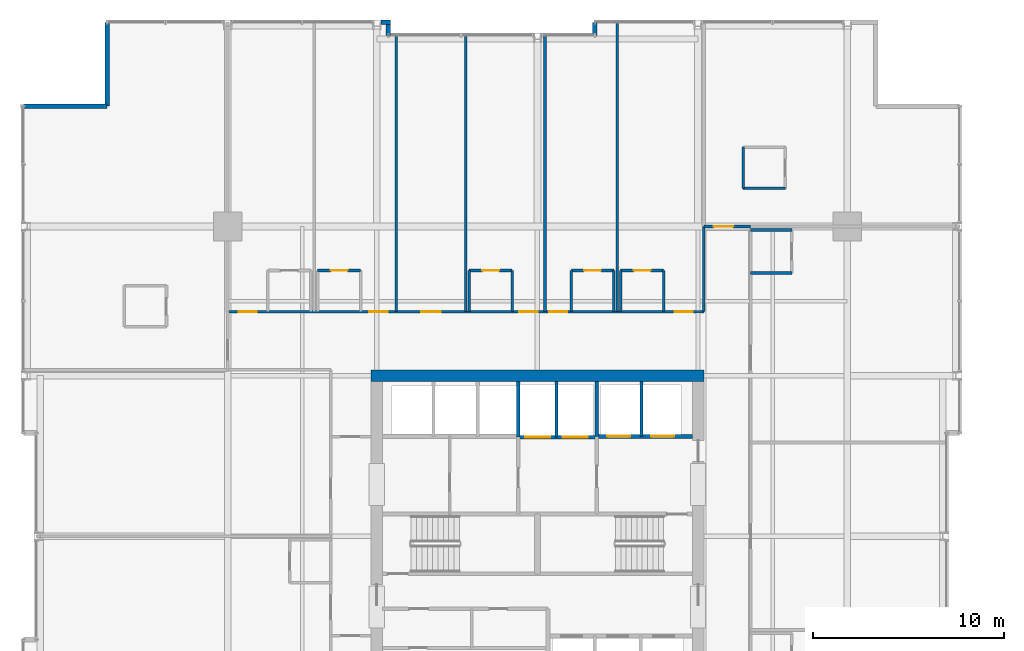
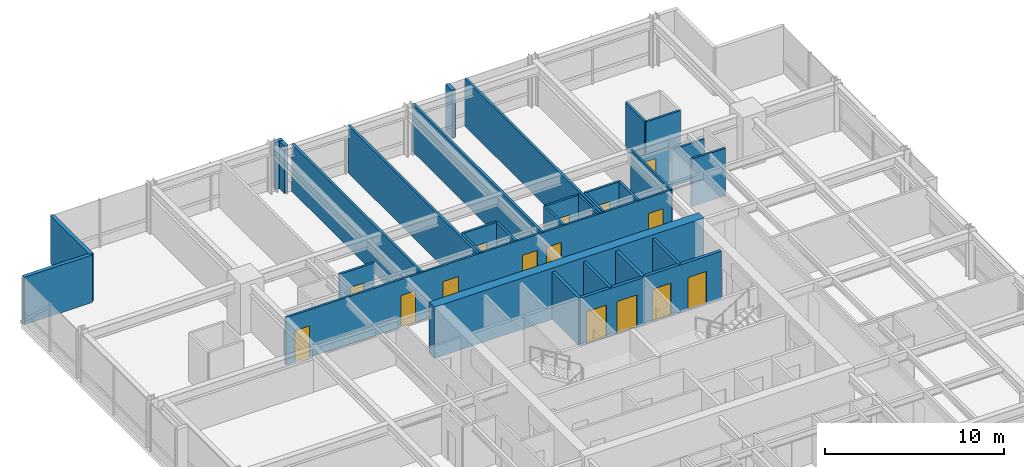
# One storey, part 31 of 34: 33 walls, 15 doors, 15 openings.
"""IFC4 building model written with IfcOpenShell, lengths in metres."""

from ifc_helpers import new_model, si_unit, direction, frame, frame_2d, origin, place, context, subcontext, project, spatial, rectangle, extrude, material, layer, layer_set, type_object, element, fill, save


model = new_model("IFC4")

# Units and contexts
model_context = context("Model", 3, precision=1e-05, world=origin(), true_north=direction((0.0, 1.0)))
body_context = subcontext(model_context, "Body", "Model", "MODEL_VIEW")
ifc_project = project(units=[si_unit("LENGTHUNIT", "METRE"), si_unit("AREAUNIT", "SQUARE_METRE"), si_unit("VOLUMEUNIT", "CUBIC_METRE"), si_unit("PLANEANGLEUNIT", "RADIAN"), si_unit("MASSUNIT", "GRAM", prefix="KILO")], contexts=[model_context])

# Site, building, storey
site_placement = place(None, origin())
site = spatial("IfcSite", under=ifc_project, at=site_placement, CompositionType="ELEMENT")
building_placement = place(site_placement, origin())
building = spatial("IfcBuilding", under=site, at=building_placement, Name="Drelvath Grand Hotel", CompositionType="ELEMENT")
storey_placement = place(building_placement, frame((0.0, 0.0, 133.800048828125)))
storey = spatial("IfcBuildingStorey", under=building, at=storey_placement, Name="L34", CompositionType="ELEMENT", Elevation=133.800048828125)

# Wall, openings, doors
ifc_material_1 = material(Name="Concrete C40/50", Category="concrete")
ifc_layer_1 = layer(ifc_material_1, 0.199951171875)
ifc_layer_set_1 = layer_set([ifc_layer_1], Name="Concrete C40/50")
wall_type_1 = type_object("IfcWallType", Name="Core Hoistway Fire Wall 200", PredefinedType="SOLIDWALL", material=ifc_layer_set_1)
wall_1_placement = place(storey_placement, frame((3.10009765625, 32.219970703125, 0.0), z_axis=(0.0, 0.0, 1.0), x_axis=(1.0, 0.0, 0.0)))
wall_1 = element("IfcWall", 1, at=wall_1_placement, inside=storey, type_object=wall_type_1, Name="L34 FSAE Hoistway Front Wall", PredefinedType="SOLIDWALL", context=body_context, shape_type="SweptSolid", body=[
    extrude(rectangle(XDim=5.0, YDim=0.199951171875, at=frame_2d((2.5, 0.0))), origin(), (0.0, 0.0, 1.0), 3.239990234375),
])
opening_1_placement = place(wall_1_placement, frame((0.550048828125, 0.0, 0.0)))
opening_1 = element("IfcOpeningElement", 2, at=opening_1_placement, cuts=wall_1, Name="Opening LD-FSAE-1", PredefinedType="OPENING", context=body_context, shape_type="SweptSolid", body=[
    extrude(rectangle(XDim=1.199951171875, YDim=2.199951171875, at=frame_2d((0.60009765625, 1.10009765625))), frame((0.0, 0.10986328125, 0.0), z_axis=(0.0, -1.0, 0.0), x_axis=(1.0, 0.0, 0.0)), (0.0, 0.0, 1.0), 0.219970703125),
])
opening_2_placement = place(wall_1_placement, frame((2.85009765625, 0.0, 0.0)))
opening_2 = element("IfcOpeningElement", 3, at=opening_2_placement, cuts=wall_1, Name="Opening LD-FSAE-2", PredefinedType="OPENING", context=body_context, shape_type="SweptSolid", body=[
    extrude(rectangle(XDim=1.199951171875, YDim=2.199951171875, at=frame_2d((0.60009765625, 1.10009765625))), frame((0.0, 0.10986328125, 0.0), z_axis=(0.0, -1.0, 0.0), x_axis=(1.0, 0.0, 0.0)), (0.0, 0.0, 1.0), 0.219970703125),
])
ifc_material_2 = material(Name="Stainless Steel S355", Category="steel")
door_type_1 = type_object("IfcDoorType", Name="FSAE Lift Sliding Landing Door 1200x2200", OperationType="NOTDEFINED", PredefinedType="DOOR", material=ifc_material_2)
door_1_placement = place(opening_1_placement, origin())
door_1 = element("IfcDoor", 4, at=door_1_placement, inside=storey, type_object=door_type_1, Name="L34 Lift FSAE-1 Landing Door", OperationType="SLIDING_TO_LEFT", OverallHeight=2.199951171875, OverallWidth=1.199951171875, PredefinedType="DOOR", context=body_context, shape_type="SweptSolid", body=[
    extrude(rectangle(XDim=1.199951171875, YDim=2.199951171875, at=frame_2d((0.60009765625, 1.10009765625))), frame((0.0, 0.02490234375, 0.0), z_axis=(0.0, -1.0, 0.0), x_axis=(1.0, 0.0, 0.0)), (0.0, 0.0, 1.0), 0.050048828125),
])
fill(opening_1, door_1)
door_2_placement = place(opening_2_placement, origin())
door_2 = element("IfcDoor", 5, at=door_2_placement, inside=storey, type_object=door_type_1, Name="L34 Lift FSAE-2 Landing Door", OperationType="SLIDING_TO_LEFT", OverallHeight=2.199951171875, OverallWidth=1.199951171875, PredefinedType="DOOR", context=body_context, shape_type="SweptSolid", body=[
    extrude(rectangle(XDim=1.199951171875, YDim=2.199951171875, at=frame_2d((0.60009765625, 1.10009765625))), frame((0.0, 0.02490234375, 0.0), z_axis=(0.0, -1.0, 0.0), x_axis=(1.0, 0.0, 0.0)), (0.0, 0.0, 1.0), 0.050048828125),
])
fill(opening_2, door_2)

# Wall
wall_2_placement = place(storey_placement, frame((3.10009765625, 32.219970703125, 0.0), z_axis=(0.0, 0.0, 1.0), x_axis=(0.0, 1.0, 0.0)))
element("IfcWall", 6, at=wall_2_placement, inside=storey, type_object=wall_type_1, Name="L34 FSAE Hoistway West Wall", PredefinedType="SOLIDWALL", context=body_context, shape_type="SweptSolid", body=[
    extrude(rectangle(XDim=2.880126953125, YDim=0.199951171875, at=frame_2d((1.43994140625, 0.0))), origin(), (0.0, 0.0, 1.0), 3.239990234375),
])

# Wall, openings, doors
wall_3_placement = place(storey_placement, frame((-1.0, 32.179931640625, 0.0), z_axis=(0.0, 0.0, 1.0), x_axis=(1.0, 0.0, 0.0)))
wall_3 = element("IfcWall", 7, at=wall_3_placement, inside=storey, type_object=wall_type_1, Name="L34 Service Lift Hoistway Wall", PredefinedType="SOLIDWALL", context=body_context, shape_type="SweptSolid", body=[
    extrude(rectangle(XDim=4.10009765625, YDim=0.199951171875, at=frame_2d((2.050048828125, 0.0))), origin(), (0.0, 0.0, 1.0), 3.239990234375),
])
opening_3_placement = place(wall_3_placement, frame((0.3701171875, 0.0, 0.0)))
opening_3 = element("IfcOpeningElement", 8, at=opening_3_placement, cuts=wall_3, Name="Opening LD-SV-2", PredefinedType="OPENING", context=body_context, shape_type="SweptSolid", body=[
    extrude(rectangle(XDim=1.300048828125, YDim=2.199951171875, at=frame_2d((0.64990234375, 1.10009765625))), frame((0.0, 0.10986328125, 0.0), z_axis=(0.0, -1.0, 0.0), x_axis=(1.0, 0.0, 0.0)), (0.0, 0.0, 1.0), 0.219970703125),
])
opening_4_placement = place(wall_3_placement, frame((2.330078125, 0.0, 0.0)))
opening_4 = element("IfcOpeningElement", 9, at=opening_4_placement, cuts=wall_3, Name="Opening LD-SV-1", PredefinedType="OPENING", context=body_context, shape_type="SweptSolid", body=[
    extrude(rectangle(XDim=1.300048828125, YDim=2.199951171875, at=frame_2d((0.64990234375, 1.10009765625))), frame((0.0, 0.10986328125, 0.0), z_axis=(0.0, -1.0, 0.0), x_axis=(1.0, 0.0, 0.0)), (0.0, 0.0, 1.0), 0.219970703125),
])
door_type_2 = type_object("IfcDoorType", Name="Service Lift Sliding Landing Door 1300x2200", OperationType="NOTDEFINED", PredefinedType="DOOR", material=ifc_material_2)
door_3_placement = place(opening_3_placement, origin())
door_3 = element("IfcDoor", 10, at=door_3_placement, inside=storey, type_object=door_type_2, Name="L34 Lift SV-2 Landing Door", OperationType="SLIDING_TO_LEFT", OverallHeight=2.199951171875, OverallWidth=1.300048828125, PredefinedType="DOOR", context=body_context, shape_type="SweptSolid", body=[
    extrude(rectangle(XDim=1.300048828125, YDim=2.199951171875, at=frame_2d((0.64990234375, 1.10009765625))), frame((0.0, 0.02490234375, 0.0), z_axis=(0.0, -1.0, 0.0), x_axis=(1.0, 0.0, 0.0)), (0.0, 0.0, 1.0), 0.050048828125),
])
fill(opening_3, door_3)
door_4_placement = place(opening_4_placement, origin())
door_4 = element("IfcDoor", 11, at=door_4_placement, inside=storey, type_object=door_type_2, Name="L34 Lift SV-1 Landing Door", OperationType="SLIDING_TO_LEFT", OverallHeight=2.199951171875, OverallWidth=1.300048828125, PredefinedType="DOOR", context=body_context, shape_type="SweptSolid", body=[
    extrude(rectangle(XDim=1.300048828125, YDim=2.199951171875, at=frame_2d((0.64990234375, 1.10009765625))), frame((0.0, 0.02490234375, 0.0), z_axis=(0.0, -1.0, 0.0), x_axis=(1.0, 0.0, 0.0)), (0.0, 0.0, 1.0), 0.050048828125),
])
fill(opening_4, door_4)

# Walls
wall_4_placement = place(storey_placement, frame((-1.0, 32.179931640625, 0.0), z_axis=(0.0, 0.0, 1.0), x_axis=(0.0, 1.0, 0.0)))
element("IfcWall", 12, at=wall_4_placement, inside=storey, type_object=wall_type_1, Name="L34 Service Lift West Wall", PredefinedType="SOLIDWALL", context=body_context, shape_type="SweptSolid", body=[
    extrude(rectangle(XDim=2.920166015625, YDim=0.199951171875, at=frame_2d((1.4599609375, 0.0))), origin(), (0.0, 0.0, 1.0), 3.239990234375),
])
ifc_material_3 = material(Name="Gypsum Fireboard Partition")
ifc_layer_2 = layer(ifc_material_3, 0.1650390625)
ifc_layer_set_2 = layer_set([ifc_layer_2], Name="Gypsum Fireboard Partition")
wall_type_2 = type_object("IfcWallType", Name="Core Shaft Partition 165", PredefinedType="PARTITIONING", material=ifc_layer_set_2)
wall_5_placement = place(storey_placement, frame((5.449951171875, 32.219970703125, 0.0), z_axis=(0.0, 0.0, 1.0), x_axis=(0.0, 1.0, 0.0)))
element("IfcWall", 13, at=wall_5_placement, inside=storey, type_object=wall_type_2, Name="L34 FSAE Hoistway Divider", PredefinedType="PARTITIONING", context=body_context, shape_type="SweptSolid", body=[
    extrude(rectangle(XDim=2.880126953125, YDim=0.1650390625, at=frame_2d((1.43994140625, 0.0))), origin(), (0.0, 0.0, 1.0), 3.239990234375),
])
wall_6_placement = place(storey_placement, frame((1.0, 32.179931640625, 0.0), z_axis=(0.0, 0.0, 1.0), x_axis=(0.0, 1.0, 0.0)))
element("IfcWall", 14, at=wall_6_placement, inside=storey, type_object=wall_type_2, Name="L34 Service Lift Divider", PredefinedType="PARTITIONING", context=body_context, shape_type="SweptSolid", body=[
    extrude(rectangle(XDim=2.920166015625, YDim=0.1650390625, at=frame_2d((1.4599609375, 0.0))), origin(), (0.0, 0.0, 1.0), 3.239990234375),
])
ifc_layer_3 = layer(ifc_material_3, 0.135009765625)
ifc_layer_set_3 = layer_set([ifc_layer_3], Name="Gypsum Fireboard Partition")
wall_type_3 = type_object("IfcWallType", Name="Corridor Fire Barrier Wall 135", PredefinedType="PARTITIONING", material=ifc_layer_set_3)
wall_7_placement = place(storey_placement, frame((8.699951171875, 38.75, 0.0), z_axis=(0.0, 0.0, 1.0), x_axis=(0.0, 1.0, 0.0)))
element("IfcWall", 15, at=wall_7_placement, inside=storey, type_object=wall_type_3, Name="L34 East Spine North Inner Wall", PredefinedType="PARTITIONING", context=body_context, shape_type="SweptSolid", body=[
    extrude(rectangle(XDim=4.449951171875, YDim=0.135009765625, at=frame_2d((2.22509765625, 0.0))), origin(), (0.0, 0.0, 1.0), 3.239990234375),
])

# Wall, openings, doors
wall_8_placement = place(storey_placement, frame((-16.199951171875, 38.75, 0.0), z_axis=(0.0, 0.0, 1.0), x_axis=(1.0, 0.0, 0.0)))
wall_8 = element("IfcWall", 16, at=wall_8_placement, inside=storey, type_object=wall_type_3, Name="L34 North Stub Corridor Wall", PredefinedType="PARTITIONING", context=body_context, shape_type="SweptSolid", body=[
    extrude(rectangle(XDim=24.89990234375, YDim=0.135009765625, at=frame_2d((12.449951171875, 0.0))), origin(), (0.0, 0.0, 1.0), 3.239990234375),
])
opening_5_placement = place(wall_8_placement, frame((0.568603515625, 0.0, 0.0)))
opening_5 = element("IfcOpeningElement", 17, at=opening_5_placement, cuts=wall_8, Name="Opening D-T2G5-040", PredefinedType="OPENING", context=body_context, shape_type="SweptSolid", body=[
    extrude(rectangle(XDim=0.9599609375, YDim=2.14990234375, at=frame_2d((0.47998046875, 1.074951171875))), frame((0.0, 0.077392578125, 0.0), z_axis=(0.0, -1.0, 0.0), x_axis=(1.0, 0.0, 0.0)), (0.0, 0.0, 1.0), 0.155029296875),
])
opening_6_placement = place(wall_8_placement, frame((7.40869140625, 0.0, 0.0)))
opening_6 = element("IfcOpeningElement", 18, at=opening_6_placement, cuts=wall_8, Name="Opening D-T2G5-042", PredefinedType="OPENING", context=body_context, shape_type="SweptSolid", body=[
    extrude(rectangle(XDim=0.9599609375, YDim=2.14990234375, at=frame_2d((0.47998046875, 1.074951171875))), frame((0.0, 0.077392578125, 0.0), z_axis=(0.0, -1.0, 0.0), x_axis=(1.0, 0.0, 0.0)), (0.0, 0.0, 1.0), 0.155029296875),
])
opening_7_placement = place(wall_8_placement, frame((10.125, 0.0, 0.0)))
opening_7 = element("IfcOpeningElement", 19, at=opening_7_placement, cuts=wall_8, Name="Opening D-T2G5-043", PredefinedType="OPENING", context=body_context, shape_type="SweptSolid", body=[
    extrude(rectangle(XDim=1.02001953125, YDim=2.14990234375, at=frame_2d((0.510009765625, 1.074951171875))), frame((0.0, 0.077392578125, 0.0), z_axis=(0.0, -1.0, 0.0), x_axis=(1.0, 0.0, 0.0)), (0.0, 0.0, 1.0), 0.155029296875),
])
opening_8_placement = place(wall_8_placement, frame((15.260009765625, 0.0, 0.0)))
opening_8 = element("IfcOpeningElement", 20, at=opening_8_placement, cuts=wall_8, Name="Opening D-T2G5-045", PredefinedType="OPENING", context=body_context, shape_type="SweptSolid", body=[
    extrude(rectangle(XDim=0.9599609375, YDim=2.14990234375, at=frame_2d((0.47998046875, 1.074951171875))), frame((0.0, 0.077392578125, 0.0), z_axis=(0.0, -1.0, 0.0), x_axis=(1.0, 0.0, 0.0)), (0.0, 0.0, 1.0), 0.155029296875),
])
opening_9_placement = place(wall_8_placement, frame((16.804931640625, 0.0, 0.0)))
opening_9 = element("IfcOpeningElement", 21, at=opening_9_placement, cuts=wall_8, Name="Opening D-T2G5-047", PredefinedType="OPENING", context=body_context, shape_type="SweptSolid", body=[
    extrude(rectangle(XDim=0.9599609375, YDim=2.14990234375, at=frame_2d((0.47998046875, 1.074951171875))), frame((0.0, 0.077392578125, 0.0), z_axis=(0.0, -1.0, 0.0), x_axis=(1.0, 0.0, 0.0)), (0.0, 0.0, 1.0), 0.155029296875),
])
opening_10_placement = place(wall_8_placement, frame((23.371337890625, 0.0, 0.0)))
opening_10 = element("IfcOpeningElement", 22, at=opening_10_placement, cuts=wall_8, Name="Opening D-T2G5-049", PredefinedType="OPENING", context=body_context, shape_type="SweptSolid", body=[
    extrude(rectangle(XDim=0.9599609375, YDim=2.14990234375, at=frame_2d((0.47998046875, 1.074951171875))), frame((0.0, 0.077392578125, 0.0), z_axis=(0.0, -1.0, 0.0), x_axis=(1.0, 0.0, 0.0)), (0.0, 0.0, 1.0), 0.155029296875),
])
ifc_material_4 = material(Name="Hardwood Walnut Timber", Category="wood")
door_type_3 = type_object("IfcDoorType", Name="Amenity Meeting Fire Door 1020x2150", OperationType="NOTDEFINED", PredefinedType="DOOR", material=ifc_material_4)
door_5_placement = place(opening_7_placement, origin())
door_5 = element("IfcDoor", 23, at=door_5_placement, inside=storey, type_object=door_type_3, Name="L34 Horizon Briefing Room Entry Door", OperationType="SINGLE_SWING_RIGHT", OverallHeight=2.14990234375, OverallWidth=1.02001953125, PredefinedType="DOOR", context=body_context, shape_type="SweptSolid", body=[
    extrude(rectangle(XDim=1.02001953125, YDim=2.14990234375, at=frame_2d((0.510009765625, 1.074951171875))), frame((0.0, 0.02490234375, 0.0), z_axis=(0.0, -1.0, 0.0), x_axis=(1.0, 0.0, 0.0)), (0.0, 0.0, 1.0), 0.050048828125),
])
fill(opening_7, door_5)
door_type_4 = type_object("IfcDoorType", Name="Guestroom Entrance Fire Door 960x2150", OperationType="NOTDEFINED", PredefinedType="DOOR", material=ifc_material_4)
door_6_placement = place(opening_5_placement, origin())
door_6 = element("IfcDoor", 24, at=door_6_placement, inside=storey, type_object=door_type_4, Name="L34 Deluxe Guest Room Entry Door", OperationType="SINGLE_SWING_LEFT", OverallHeight=2.14990234375, OverallWidth=0.9599609375, PredefinedType="DOOR", context=body_context, shape_type="SweptSolid", body=[
    extrude(rectangle(XDim=0.9599609375, YDim=2.14990234375, at=frame_2d((0.47998046875, 1.074951171875))), frame((0.0, 0.02490234375, 0.0), z_axis=(0.0, -1.0, 0.0), x_axis=(1.0, 0.0, 0.0)), (0.0, 0.0, 1.0), 0.050048828125),
])
fill(opening_5, door_6)
door_7_placement = place(opening_6_placement, origin())
door_7 = element("IfcDoor", 25, at=door_7_placement, inside=storey, type_object=door_type_4, Name="L34 Deluxe Guest Room Entry Door", OperationType="SINGLE_SWING_LEFT", OverallHeight=2.14990234375, OverallWidth=0.9599609375, PredefinedType="DOOR", context=body_context, shape_type="SweptSolid", body=[
    extrude(rectangle(XDim=0.9599609375, YDim=2.14990234375, at=frame_2d((0.47998046875, 1.074951171875))), frame((0.0, 0.02490234375, 0.0), z_axis=(0.0, -1.0, 0.0), x_axis=(1.0, 0.0, 0.0)), (0.0, 0.0, 1.0), 0.050048828125),
])
fill(opening_6, door_7)
door_8_placement = place(opening_8_placement, origin())
door_8 = element("IfcDoor", 26, at=door_8_placement, inside=storey, type_object=door_type_4, Name="L34 Deluxe Guest Room Entry Door", OperationType="SINGLE_SWING_RIGHT", OverallHeight=2.14990234375, OverallWidth=0.9599609375, PredefinedType="DOOR", context=body_context, shape_type="SweptSolid", body=[
    extrude(rectangle(XDim=0.9599609375, YDim=2.14990234375, at=frame_2d((0.47998046875, 1.074951171875))), frame((0.0, 0.02490234375, 0.0), z_axis=(0.0, -1.0, 0.0), x_axis=(1.0, 0.0, 0.0)), (0.0, 0.0, 1.0), 0.050048828125),
])
fill(opening_8, door_8)
door_9_placement = place(opening_9_placement, origin())
door_9 = element("IfcDoor", 27, at=door_9_placement, inside=storey, type_object=door_type_4, Name="L34 Deluxe Guest Room Entry Door", OperationType="SINGLE_SWING_RIGHT", OverallHeight=2.14990234375, OverallWidth=0.9599609375, PredefinedType="DOOR", context=body_context, shape_type="SweptSolid", body=[
    extrude(rectangle(XDim=0.9599609375, YDim=2.14990234375, at=frame_2d((0.47998046875, 1.074951171875))), frame((0.0, 0.02490234375, 0.0), z_axis=(0.0, -1.0, 0.0), x_axis=(1.0, 0.0, 0.0)), (0.0, 0.0, 1.0), 0.050048828125),
])
fill(opening_9, door_9)
door_10_placement = place(opening_10_placement, origin())
door_10 = element("IfcDoor", 28, at=door_10_placement, inside=storey, type_object=door_type_4, Name="L34 Deluxe Guest Room Entry Door", OperationType="SINGLE_SWING_RIGHT", OverallHeight=2.14990234375, OverallWidth=0.9599609375, PredefinedType="DOOR", context=body_context, shape_type="SweptSolid", body=[
    extrude(rectangle(XDim=0.9599609375, YDim=2.14990234375, at=frame_2d((0.47998046875, 1.074951171875))), frame((0.0, 0.02490234375, 0.0), z_axis=(0.0, -1.0, 0.0), x_axis=(1.0, 0.0, 0.0)), (0.0, 0.0, 1.0), 0.050048828125),
])
fill(opening_10, door_10)

# Wall, opening, door
wall_9_placement = place(storey_placement, frame((8.699951171875, 43.199951171875, 0.0), z_axis=(0.0, 0.0, 1.0), x_axis=(1.0, 0.0, 0.0)))
wall_9 = element("IfcWall", 29, at=wall_9_placement, inside=storey, type_object=wall_type_3, Name="L34 East Spine North End", PredefinedType="PARTITIONING", context=body_context, shape_type="SweptSolid", body=[
    extrude(rectangle(XDim=2.449951171875, YDim=0.135009765625, at=frame_2d((1.22509765625, 0.0))), origin(), (0.0, 0.0, 1.0), 2.529541015625),
])
opening_11_placement = place(wall_9_placement, frame((0.52001953125, 0.0, 0.0)))
opening_11 = element("IfcOpeningElement", 30, at=opening_11_placement, cuts=wall_9, Name="Opening D-T2G5-028", PredefinedType="OPENING", context=body_context, shape_type="SweptSolid", body=[
    extrude(rectangle(XDim=1.02001953125, YDim=2.14990234375, at=frame_2d((0.510009765625, 1.074951171875))), frame((0.0, 0.077392578125, 0.0), z_axis=(0.0, -1.0, 0.0), x_axis=(1.0, 0.0, 0.0)), (0.0, 0.0, 1.0), 0.155029296875),
])
door_11_placement = place(opening_11_placement, origin())
door_11 = element("IfcDoor", 31, at=door_11_placement, inside=storey, type_object=door_type_3, Name="L34 Corner Suite Entry Door", OperationType="SINGLE_SWING_LEFT", OverallHeight=2.14990234375, OverallWidth=1.02001953125, PredefinedType="DOOR", context=body_context, shape_type="SweptSolid", body=[
    extrude(rectangle(XDim=1.02001953125, YDim=2.14990234375, at=frame_2d((0.510009765625, 1.074951171875))), frame((0.0, 0.02490234375, 0.0), z_axis=(0.0, -1.0, 0.0), x_axis=(1.0, 0.0, 0.0)), (0.0, 0.0, 1.0), 0.050048828125),
])
fill(opening_11, door_11)

# Walls
ifc_material_5 = material(Name="Moisture-Resistant Gypsum Board")
ifc_layer_4 = layer(ifc_material_5, 0.139892578125)
ifc_layer_set_4 = layer_set([ifc_layer_4], Name="Moisture-Resistant Gypsum Board")
wall_type_4 = type_object("IfcWallType", Name="En-Suite Plumbing Wall 140", PredefinedType="PLUMBINGWALL", material=ifc_layer_set_4)
wall_10_placement = place(storey_placement, frame((10.760009765625, 45.199951171875, 0.0), z_axis=(0.0, 0.0, 1.0), x_axis=(1.0, 0.0, 0.0)))
element("IfcWall", 32, at=wall_10_placement, inside=storey, type_object=wall_type_4, Name="L34 Corner En-Suite South", PredefinedType="PLUMBINGWALL", context=body_context, shape_type="SweptSolid", body=[
    extrude(rectangle(XDim=2.199951171875, YDim=0.139892578125, at=frame_2d((1.10009765625, 0.0))), origin(), (0.0, 0.0, 1.0), 3.239990234375),
])
wall_11_placement = place(storey_placement, frame((10.760009765625, 45.199951171875, 0.0), z_axis=(0.0, 0.0, 1.0), x_axis=(0.0, 1.0, 0.0)))
element("IfcWall", 33, at=wall_11_placement, inside=storey, type_object=wall_type_4, Name="L34 Corner En-Suite West", PredefinedType="PLUMBINGWALL", context=body_context, shape_type="SweptSolid", body=[
    extrude(rectangle(XDim=2.150146484375, YDim=0.139892578125, at=frame_2d((1.0751953125, 0.0))), origin(), (0.0, 0.0, 1.0), 3.239990234375),
])

# Wall, opening, door
wall_12_placement = place(storey_placement, frame((-11.49267578125, 40.89990234375, 0.0), z_axis=(0.0, 0.0, 1.0), x_axis=(1.0, 0.0, 0.0)))
wall_12 = element("IfcWall", 34, at=wall_12_placement, inside=storey, type_object=wall_type_4, Name="L34 En-Suite Front Wall", PredefinedType="PLUMBINGWALL", context=body_context, shape_type="SweptSolid", body=[
    extrude(rectangle(XDim=2.25, YDim=0.139892578125, at=frame_2d((1.125, 0.0))), origin(), (0.0, 0.0, 1.0), 3.239990234375),
])
opening_12_placement = place(wall_12_placement, frame((0.68505859375, 0.0, 0.0)))
opening_12 = element("IfcOpeningElement", 35, at=opening_12_placement, cuts=wall_12, Name="Opening D-T2G5-041", PredefinedType="OPENING", context=body_context, shape_type="SweptSolid", body=[
    extrude(rectangle(XDim=0.8798828125, YDim=2.10009765625, at=frame_2d((0.43994140625, 1.050048828125))), frame((0.0, 0.079833984375, 0.0), z_axis=(0.0, -1.0, 0.0), x_axis=(1.0, 0.0, 0.0)), (0.0, 0.0, 1.0), 0.159912109375),
])
door_type_5 = type_object("IfcDoorType", Name="En-Suite Bathroom Door 880x2100", OperationType="NOTDEFINED", PredefinedType="DOOR", material=ifc_material_4)
door_12_placement = place(opening_12_placement, origin())
door_12 = element("IfcDoor", 36, at=door_12_placement, inside=storey, type_object=door_type_5, Name="L34 En-Suite Bathroom Door", OperationType="SINGLE_SWING_RIGHT", OverallHeight=2.10009765625, OverallWidth=0.8798828125, PredefinedType="DOOR", context=body_context, shape_type="SweptSolid", body=[
    extrude(rectangle(XDim=0.8798828125, YDim=2.10009765625, at=frame_2d((0.43994140625, 1.050048828125))), frame((0.0, 0.02490234375, 0.0), z_axis=(0.0, -1.0, 0.0), x_axis=(1.0, 0.0, 0.0)), (0.0, 0.0, 1.0), 0.050048828125),
])
fill(opening_12, door_12)

# Walls
for number, where, z_axis, x_axis, name in (
    (37, (-3.570068359375, 38.75, 0.0), (0.0, 0.0, 1.0), (0.0, 1.0, 0.0), "L34 En-Suite Left Wall"),
    (38, (-1.320068359375, 38.75, 0.0), (0.0, 0.0, 1.0), (0.0, 1.0, 0.0), "L34 En-Suite Right Wall"),
):
    element("IfcWall", number, at=place(storey_placement, frame(where, z_axis=z_axis, x_axis=x_axis)), inside=storey, type_object=wall_type_4, Name=name, PredefinedType="PLUMBINGWALL", context=body_context, shape_type="SweptSolid", body=[
        extrude(rectangle(XDim=2.14990234375, YDim=0.139892578125, at=frame_2d((1.074951171875, 0.0))), origin(), (0.0, 0.0, 1.0), 3.239990234375),
    ])

# Wall, opening, door
wall_13_placement = place(storey_placement, frame((-3.570068359375, 40.89990234375, 0.0), z_axis=(0.0, 0.0, 1.0), x_axis=(1.0, 0.0, 0.0)))
wall_13 = element("IfcWall", 39, at=wall_13_placement, inside=storey, type_object=wall_type_4, Name="L34 En-Suite Front Wall", PredefinedType="PLUMBINGWALL", context=body_context, shape_type="SweptSolid", body=[
    extrude(rectangle(XDim=2.25, YDim=0.139892578125, at=frame_2d((1.125, 0.0))), origin(), (0.0, 0.0, 1.0), 3.239990234375),
])
opening_13_placement = place(wall_13_placement, frame((0.68505859375, 0.0, 0.0)))
opening_13 = element("IfcOpeningElement", 40, at=opening_13_placement, cuts=wall_13, Name="Opening D-T2G5-044", PredefinedType="OPENING", context=body_context, shape_type="SweptSolid", body=[
    extrude(rectangle(XDim=0.8798828125, YDim=2.10009765625, at=frame_2d((0.43994140625, 1.050048828125))), frame((0.0, 0.079833984375, 0.0), z_axis=(0.0, -1.0, 0.0), x_axis=(1.0, 0.0, 0.0)), (0.0, 0.0, 1.0), 0.159912109375),
])
door_13_placement = place(opening_13_placement, origin())
door_13 = element("IfcDoor", 41, at=door_13_placement, inside=storey, type_object=door_type_5, Name="L34 En-Suite Bathroom Door", OperationType="SINGLE_SWING_LEFT", OverallHeight=2.10009765625, OverallWidth=0.8798828125, PredefinedType="DOOR", context=body_context, shape_type="SweptSolid", body=[
    extrude(rectangle(XDim=0.8798828125, YDim=2.10009765625, at=frame_2d((0.43994140625, 1.050048828125))), frame((0.0, 0.02490234375, 0.0), z_axis=(0.0, -1.0, 0.0), x_axis=(1.0, 0.0, 0.0)), (0.0, 0.0, 1.0), 0.050048828125),
])
fill(opening_13, door_13)

# Walls
for number, where, z_axis, x_axis, name in (
    (42, (1.769775390625, 38.75, 0.0), (0.0, 0.0, 1.0), (0.0, 1.0, 0.0), "L34 En-Suite Left Wall"),
    (43, (3.99267578125, 38.75, 0.0), (0.0, 0.0, 1.0), (0.0, 1.0, 0.0), "L34 En-Suite Right Wall"),
):
    element("IfcWall", number, at=place(storey_placement, frame(where, z_axis=z_axis, x_axis=x_axis)), inside=storey, type_object=wall_type_4, Name=name, PredefinedType="PLUMBINGWALL", context=body_context, shape_type="SweptSolid", body=[
        extrude(rectangle(XDim=2.14990234375, YDim=0.139892578125, at=frame_2d((1.074951171875, 0.0))), origin(), (0.0, 0.0, 1.0), 3.239990234375),
    ])

# Wall, opening, door
wall_14_placement = place(storey_placement, frame((1.769775390625, 40.89990234375, 0.0), z_axis=(0.0, 0.0, 1.0), x_axis=(1.0, 0.0, 0.0)))
wall_14 = element("IfcWall", 44, at=wall_14_placement, inside=storey, type_object=wall_type_4, Name="L34 En-Suite Front Wall", PredefinedType="PLUMBINGWALL", context=body_context, shape_type="SweptSolid", body=[
    extrude(rectangle(XDim=2.222900390625, YDim=0.139892578125, at=frame_2d((1.111328125, 0.0))), origin(), (0.0, 0.0, 1.0), 3.239990234375),
])
opening_14_placement = place(wall_14_placement, frame((0.67138671875, 0.0, 0.0)))
opening_14 = element("IfcOpeningElement", 45, at=opening_14_placement, cuts=wall_14, Name="Opening D-T2G5-046", PredefinedType="OPENING", context=body_context, shape_type="SweptSolid", body=[
    extrude(rectangle(XDim=0.8798828125, YDim=2.10009765625, at=frame_2d((0.43994140625, 1.050048828125))), frame((0.0, 0.079833984375, 0.0), z_axis=(0.0, -1.0, 0.0), x_axis=(1.0, 0.0, 0.0)), (0.0, 0.0, 1.0), 0.159912109375),
])
door_14_placement = place(opening_14_placement, origin())
door_14 = element("IfcDoor", 46, at=door_14_placement, inside=storey, type_object=door_type_5, Name="L34 En-Suite Bathroom Door", OperationType="SINGLE_SWING_LEFT", OverallHeight=2.10009765625, OverallWidth=0.8798828125, PredefinedType="DOOR", context=body_context, shape_type="SweptSolid", body=[
    extrude(rectangle(XDim=0.8798828125, YDim=2.10009765625, at=frame_2d((0.43994140625, 1.050048828125))), frame((0.0, 0.02490234375, 0.0), z_axis=(0.0, -1.0, 0.0), x_axis=(1.0, 0.0, 0.0)), (0.0, 0.0, 1.0), 0.050048828125),
])
fill(opening_14, door_14)

# Walls
for number, where, z_axis, x_axis, name in (
    (47, (4.352783203125, 38.75, 0.0), (0.0, 0.0, 1.0), (0.0, 1.0, 0.0), "L34 En-Suite Left Wall"),
    (48, (6.602783203125, 38.75, 0.0), (0.0, 0.0, 1.0), (0.0, 1.0, 0.0), "L34 En-Suite Right Wall"),
):
    element("IfcWall", number, at=place(storey_placement, frame(where, z_axis=z_axis, x_axis=x_axis)), inside=storey, type_object=wall_type_4, Name=name, PredefinedType="PLUMBINGWALL", context=body_context, shape_type="SweptSolid", body=[
        extrude(rectangle(XDim=2.14990234375, YDim=0.139892578125, at=frame_2d((1.074951171875, 0.0))), origin(), (0.0, 0.0, 1.0), 3.239990234375),
    ])

# Wall, opening, door
wall_15_placement = place(storey_placement, frame((4.352783203125, 40.89990234375, 0.0), z_axis=(0.0, 0.0, 1.0), x_axis=(1.0, 0.0, 0.0)))
wall_15 = element("IfcWall", 49, at=wall_15_placement, inside=storey, type_object=wall_type_4, Name="L34 En-Suite Front Wall", PredefinedType="PLUMBINGWALL", context=body_context, shape_type="SweptSolid", body=[
    extrude(rectangle(XDim=2.25, YDim=0.139892578125, at=frame_2d((1.125, 0.0))), origin(), (0.0, 0.0, 1.0), 3.239990234375),
])
opening_15_placement = place(wall_15_placement, frame((0.68505859375, 0.0, 0.0)))
opening_15 = element("IfcOpeningElement", 50, at=opening_15_placement, cuts=wall_15, Name="Opening D-T2G5-048", PredefinedType="OPENING", context=body_context, shape_type="SweptSolid", body=[
    extrude(rectangle(XDim=0.8798828125, YDim=2.10009765625, at=frame_2d((0.43994140625, 1.050048828125))), frame((0.0, 0.079833984375, 0.0), z_axis=(0.0, -1.0, 0.0), x_axis=(1.0, 0.0, 0.0)), (0.0, 0.0, 1.0), 0.159912109375),
])
door_15_placement = place(opening_15_placement, origin())
door_15 = element("IfcDoor", 51, at=door_15_placement, inside=storey, type_object=door_type_5, Name="L34 En-Suite Bathroom Door", OperationType="SINGLE_SWING_LEFT", OverallHeight=2.10009765625, OverallWidth=0.8798828125, PredefinedType="DOOR", context=body_context, shape_type="SweptSolid", body=[
    extrude(rectangle(XDim=0.8798828125, YDim=2.10009765625, at=frame_2d((0.43994140625, 1.050048828125))), frame((0.0, 0.02490234375, 0.0), z_axis=(0.0, -1.0, 0.0), x_axis=(1.0, 0.0, 0.0)), (0.0, 0.0, 1.0), 0.050048828125),
])
fill(opening_15, door_15)

# Walls
wall_16_placement = place(storey_placement, frame((11.14990234375, 40.77001953125, 0.0), z_axis=(0.0, 0.0, 1.0), x_axis=(1.0, 0.0, 0.0)))
element("IfcWall", 52, at=wall_16_placement, inside=storey, type_object=wall_type_4, Name="L34 En-Suite Left Wall", PredefinedType="PLUMBINGWALL", context=body_context, shape_type="SweptSolid", body=[
    extrude(rectangle(XDim=2.150146484375, YDim=0.139892578125, at=frame_2d((1.0751953125, 0.0))), origin(), (0.0, 0.0, 1.0), 3.239990234375),
])
wall_17_placement = place(storey_placement, frame((11.14990234375, 43.02001953125, 0.0), z_axis=(0.0, 0.0, 1.0), x_axis=(1.0, 0.0, 0.0)))
element("IfcWall", 53, at=wall_17_placement, inside=storey, type_object=wall_type_4, Name="L34 En-Suite Right Wall", PredefinedType="PLUMBINGWALL", context=body_context, shape_type="SweptSolid", body=[
    extrude(rectangle(XDim=2.150146484375, YDim=0.139892578125, at=frame_2d((1.0751953125, 0.0))), origin(), (0.0, 0.0, 1.0), 2.529541015625),
])
ifc_material_6 = material(Name="Gypsum Acoustic Partition")
ifc_layer_5 = layer(ifc_material_6, 0.14990234375)
ifc_layer_set_5 = layer_set([ifc_layer_5], Name="Gypsum Acoustic Partition")
wall_type_5 = type_object("IfcWallType", Name="Guestroom Demising Wall 150", PredefinedType="PARTITIONING", material=ifc_layer_set_5)
for number, where, z_axis, x_axis, name in (
    (54, (-7.3798828125, 38.75, 0.0), (0.0, 0.0, 1.0), (0.0, 1.0, 0.0), "L34 North Demising 2"),
    (55, (-3.75, 38.75, 0.0), (0.0, 0.0, 1.0), (0.0, 1.0, 0.0), "L34 North Demising 3"),
    (56, (0.39990234375, 38.75, 0.0), (0.0, 0.0, 1.0), (0.0, 1.0, 0.0), "L34 North Demising 4"),
):
    element("IfcWall", number, at=place(storey_placement, frame(where, z_axis=z_axis, x_axis=x_axis)), inside=storey, type_object=wall_type_5, Name=name, PredefinedType="PARTITIONING", context=body_context, shape_type="SweptSolid", body=[
        extrude(rectangle(XDim=14.449951171875, YDim=0.14990234375, at=frame_2d((7.22509765625, 0.0))), origin(), (0.0, 0.0, 1.0), 3.239990234375),
    ])
wall_18_placement = place(storey_placement, frame((4.172607421875, 38.75, 0.0), z_axis=(0.0, 0.0, 1.0), x_axis=(0.0, 1.0, 0.0)))
element("IfcWall", 57, at=wall_18_placement, inside=storey, type_object=wall_type_5, Name="L34 North Demising 5", PredefinedType="PARTITIONING", context=body_context, shape_type="SweptSolid", body=[
    extrude(rectangle(XDim=15.1298828125, YDim=0.14990234375, at=frame_2d((7.56494140625, 0.0))), origin(), (0.0, 0.0, 1.0), 3.239990234375),
])
ifc_material_7 = material(Name="Concrete f'c 70 MPa", Category="concrete")
ifc_layer_6 = layer(ifc_material_7, 0.60009765625)
ifc_layer_set_6 = layer_set([ifc_layer_6], Name="Concrete f'c 70 MPa")
wall_type_6 = type_object("IfcWallType", Name="Lower Core RC Shear Wall 600", PredefinedType="SHEAR", material=ifc_layer_set_6)
wall_19_placement = place(storey_placement, frame((-8.699951171875, 35.39990234375, 0.0), z_axis=(0.0, 0.0, 1.0), x_axis=(1.0, 0.0, 0.0)))
element("IfcWall", 58, at=wall_19_placement, inside=storey, type_object=wall_type_6, Name="L34 Central Core Shear Wall N", PredefinedType="SHEAR", context=body_context, shape_type="SweptSolid", body=[
    extrude(rectangle(XDim=17.39990234375, YDim=0.60009765625, at=frame_2d((8.699951171875, 0.0))), origin(), (0.0, 0.0, 1.0), 3.5),
])
ifc_material_8 = material(Name="Pale-Metal Insulated Aluminium Spandrel Assembly", Category="aluminium")
ifc_layer_7 = layer(ifc_material_8, 0.239990234375)
ifc_layer_set_7 = layer_set([ifc_layer_7], Name="Pale-Metal Insulated Aluminium Spandrel Assembly")
wall_type_7 = type_object("IfcWallType", Name="Tower Insulated Metal Spandrel Closure Wall 240", PredefinedType="STANDARD", material=ifc_layer_set_7)
wall_20_placement = place(storey_placement, frame((-8.190673828125, 53.8798828125, 0.0), z_axis=(0.0, 0.0, 1.0), x_axis=(1.0, 0.0, 0.0)))
element("IfcWall", 59, at=wall_20_placement, inside=storey, type_object=wall_type_7, Name="L34 Corner Pier Spandrel Wall NW3", PredefinedType="STANDARD", context=body_context, shape_type="SweptSolid", body=[
    extrude(rectangle(XDim=0.5107421875, YDim=0.239990234375, at=frame_2d((0.25537109375, 0.0))), origin(), (0.0, 0.0, 1.0), 3.239990234375),
])
for number, where, z_axis, x_axis, name in (
    (60, (-26.8798828125, 49.5, 0.0), (0.0, 0.0, 1.0), (1.0, 0.0, 0.0), "L34 Notched Corner Return Spandrel Wall CNW1"),
    (61, (-22.5, 49.5, 0.0), (0.0, 0.0, 1.0), (0.0, 1.0, 0.0), "L34 Notched Corner Return Spandrel Wall CNW2"),
):
    element("IfcWall", number, at=place(storey_placement, frame(where, z_axis=z_axis, x_axis=x_axis)), inside=storey, type_object=wall_type_7, Name=name, PredefinedType="STANDARD", context=body_context, shape_type="SweptSolid", body=[
        extrude(rectangle(XDim=4.3798828125, YDim=0.239990234375, at=frame_2d((2.18994140625, 0.0))), origin(), (0.0, 0.0, 1.0), 3.239990234375),
    ])
wall_21_placement = place(storey_placement, frame((-7.800048828125, 53.760009765625, 0.0), z_axis=(0.0, 0.0, 1.0), x_axis=(0.0, -1.0, 0.0)))
element("IfcWall", 62, at=wall_21_placement, inside=storey, type_object=wall_type_7, Name="L34 Notched Corner Return Spandrel Wall RN1", PredefinedType="STANDARD", context=body_context, shape_type="SweptSolid", body=[
    extrude(rectangle(XDim=0.56005859375, YDim=0.239990234375, at=frame_2d((0.280029296875, 0.0))), origin(), (0.0, 0.0, 1.0), 3.239990234375),
])
wall_22_placement = place(storey_placement, frame((3.0, 53.199951171875, 0.0), z_axis=(0.0, 0.0, 1.0), x_axis=(0.0, 1.0, 0.0)))
element("IfcWall", 63, at=wall_22_placement, inside=storey, type_object=wall_type_7, Name="L34 Notched Corner Return Spandrel Wall RN2", PredefinedType="STANDARD", context=body_context, shape_type="SweptSolid", body=[
    extrude(rectangle(XDim=0.679931640625, YDim=0.239990234375, at=frame_2d((0.33984375, 0.0))), origin(), (0.0, 0.0, 1.0), 3.239990234375),
])

save(model, "model.ifc")
